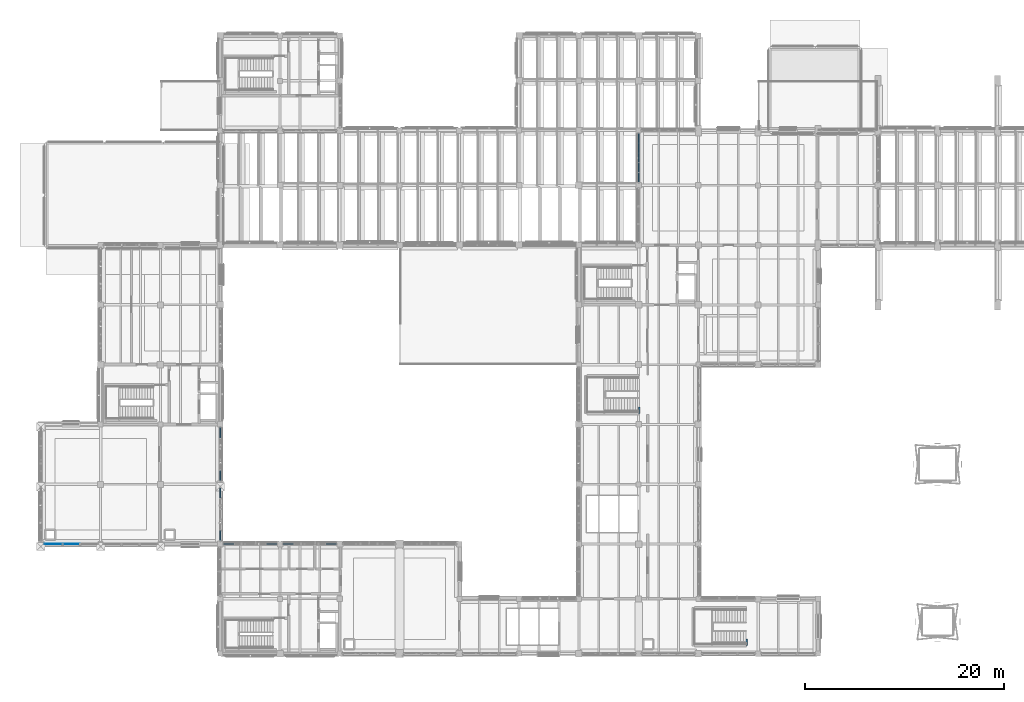
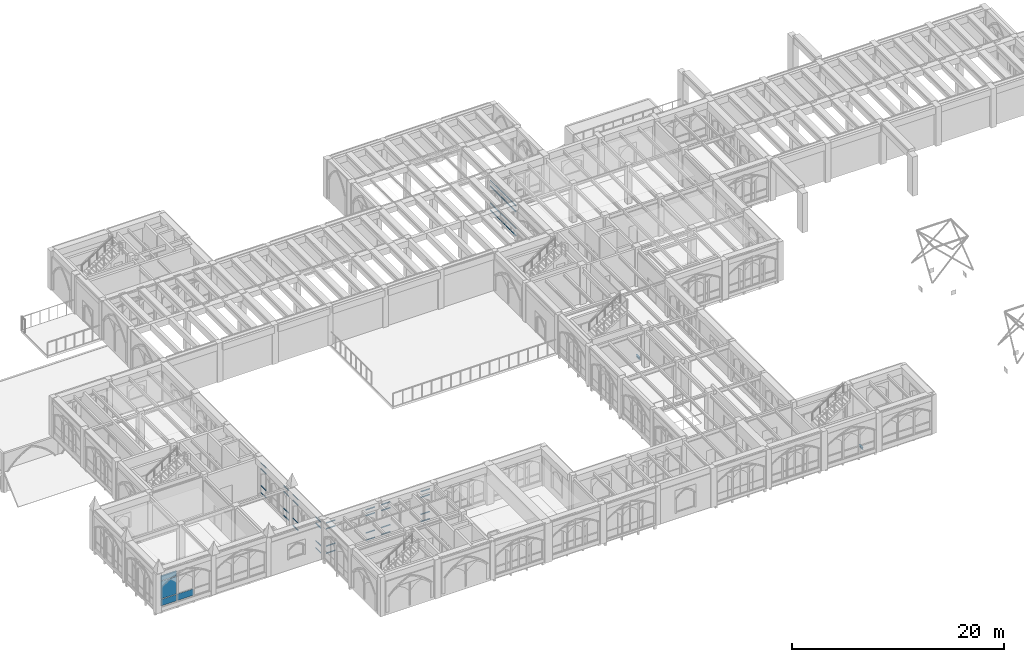
# One storey, part 62 of 127: 52 members, 4 plates, 2 beams, 6 elements without a shape of their own.
"""IFC4 building model written with IfcOpenShell, lengths in metres."""

from ifc_helpers import new_model, si_unit, direction, frame, origin, origin_2d, place, context, subcontext, project, spatial, rectangle, hollow_rectangle, i_section, extrude, material, layer, layer_set, material_profile, profile_set, type_object, element, aggregate, save


model = new_model("IFC4")

# Units and contexts
model_context = context("Model", 3, precision=1e-05, world=origin(), true_north=direction((0.0, 1.0)))
body_context = subcontext(model_context, "Body", "Model", "MODEL_VIEW")
ifc_project = project(units=[si_unit("LENGTHUNIT", "METRE"), si_unit("AREAUNIT", "SQUARE_METRE"), si_unit("VOLUMEUNIT", "CUBIC_METRE"), si_unit("PLANEANGLEUNIT", "RADIAN"), si_unit("MASSUNIT", "GRAM", prefix="KILO")], contexts=[model_context])

# Site, building, storey
site_placement = place(None, origin())
site = spatial("IfcSite", under=ifc_project, at=site_placement, CompositionType="ELEMENT")
building_placement = place(site_placement, origin())
building = spatial("IfcBuilding", under=site, at=building_placement, Name="Cumevento Cable Car Station", CompositionType="ELEMENT")
storey_placement = place(building_placement, frame((0.0, 0.0, 4.5)))
storey = spatial("IfcBuildingStorey", under=building, at=storey_placement, Name="L02", CompositionType="ELEMENT", Elevation=4.5)

# Curtain wall, members
ifc_material_1 = material(Name="Anodised Bronze Aluminium AW-6063-T6", Category="aluminium")
ifc_layer_1 = layer(ifc_material_1, 0.172119140625)
ifc_layer_set_1 = layer_set([ifc_layer_1], Name="Anodised Bronze Aluminium AW-6063-T6")
curtain_wall_type_1 = type_object("IfcCurtainWallType", Name="Lancet Curtain Wall CW-03 1130", PredefinedType="NOTDEFINED", material=ifc_layer_set_1)
curtain_wall_1_placement = place(storey_placement, origin())
curtain_wall_1 = element("IfcCurtainWall", 1, at=curtain_wall_1_placement, inside=storey, type_object=curtain_wall_type_1, Name="Lancet Curtain Wall CW-03 L02 #18", PredefinedType="NOTDEFINED")
ifc_material_2 = material(Name="Anodised Bronze Aluminium AW-6063-T6", Category="aluminium")
ifc_material_profile_1 = material_profile(ifc_material_2, hollow_rectangle(XDim=0.06494140625, YDim=0.1201171875, WallThickness=0.00390625, at=origin_2d()), Name="ALUT65x120x4")
ifc_profile_set_1 = profile_set([ifc_material_profile_1], Name="Anodised Bronze Aluminium AW-6063-T6")
member_type = type_object("IfcMemberType", Name="Curtain Transom CWT-01 ALUT65x120x4", PredefinedType="USERDEFINED", material=ifc_profile_set_1)
member_1_placement = place(storey_placement, frame((22.364990234375, 15.0, 0.29248046875), z_axis=(1.0, 0.0, 0.0), x_axis=(0.0, 1.0, 0.0)))
member_1 = element("IfcMember", 2, at=member_1_placement, type_object=member_type, Name="CW-03 transom 1.1", ObjectType="TRANSOM", PredefinedType="USERDEFINED", context=body_context, shape_type="SweptSolid", body=[
    extrude(hollow_rectangle(XDim=0.06494140625, YDim=0.1201171875, WallThickness=0.00390625, at=origin_2d()), origin(), (0.0, 0.0, 1.0), 0.987548828125),
])
member_2_placement = place(storey_placement, frame((22.364990234375, 15.0, 1.110107421875), z_axis=(1.0, 0.0, 0.0), x_axis=(0.0, 1.0, 0.0)))
member_2 = element("IfcMember", 3, at=member_2_placement, type_object=member_type, Name="CW-03 transom 1.2", ObjectType="TRANSOM", PredefinedType="USERDEFINED", context=body_context, shape_type="SweptSolid", body=[
    extrude(hollow_rectangle(XDim=0.06494140625, YDim=0.1201171875, WallThickness=0.00390625, at=origin_2d()), origin(), (0.0, 0.0, 1.0), 0.987548828125),
])
member_3_placement = place(storey_placement, frame((22.364990234375, 15.0, 3.10888671875), z_axis=(1.0, 0.0, 0.0), x_axis=(0.0, 1.0, 0.0)))
member_3 = element("IfcMember", 4, at=member_3_placement, type_object=member_type, Name="CW-03 transom 1.3", ObjectType="TRANSOM", PredefinedType="USERDEFINED", context=body_context, shape_type="SweptSolid", body=[
    extrude(hollow_rectangle(XDim=0.06494140625, YDim=0.1201171875, WallThickness=0.00390625, at=origin_2d()), origin(), (0.0, 0.0, 1.0), 0.987548828125),
])
member_4_placement = place(storey_placement, frame((22.364990234375, 15.0, 3.776611328125), z_axis=(1.0, 0.0, 0.0), x_axis=(0.0, 1.0, 0.0)))
member_4 = element("IfcMember", 5, at=member_4_placement, type_object=member_type, Name="CW-03 transom 1.4", ObjectType="TRANSOM", PredefinedType="USERDEFINED", context=body_context, shape_type="SweptSolid", body=[
    extrude(hollow_rectangle(XDim=0.06494140625, YDim=0.1201171875, WallThickness=0.00390625, at=origin_2d()), origin(), (0.0, 0.0, 1.0), 0.987548828125),
])
member_5_placement = place(storey_placement, frame((26.672607421875, 15.0, 0.29248046875), z_axis=(1.0, 0.0, 0.0), x_axis=(0.0, 1.0, 0.0)))
member_5 = element("IfcMember", 6, at=member_5_placement, type_object=member_type, Name="CW-03 transom 5.1", ObjectType="TRANSOM", PredefinedType="USERDEFINED", context=body_context, shape_type="SweptSolid", body=[
    extrude(hollow_rectangle(XDim=0.06494140625, YDim=0.1201171875, WallThickness=0.00390625, at=origin_2d()), origin(), (0.0, 0.0, 1.0), 0.9873046875),
])
member_6_placement = place(storey_placement, frame((26.672607421875, 15.0, 1.110107421875), z_axis=(1.0, 0.0, 0.0), x_axis=(0.0, 1.0, 0.0)))
member_6 = element("IfcMember", 7, at=member_6_placement, type_object=member_type, Name="CW-03 transom 5.2", ObjectType="TRANSOM", PredefinedType="USERDEFINED", context=body_context, shape_type="SweptSolid", body=[
    extrude(hollow_rectangle(XDim=0.06494140625, YDim=0.1201171875, WallThickness=0.00390625, at=origin_2d()), origin(), (0.0, 0.0, 1.0), 0.9873046875),
])
member_7_placement = place(storey_placement, frame((26.672607421875, 15.0, 3.10888671875), z_axis=(1.0, 0.0, 0.0), x_axis=(0.0, 1.0, 0.0)))
member_7 = element("IfcMember", 8, at=member_7_placement, type_object=member_type, Name="CW-03 transom 5.3", ObjectType="TRANSOM", PredefinedType="USERDEFINED", context=body_context, shape_type="SweptSolid", body=[
    extrude(hollow_rectangle(XDim=0.06494140625, YDim=0.1201171875, WallThickness=0.00390625, at=origin_2d()), origin(), (0.0, 0.0, 1.0), 0.9873046875),
])
member_8_placement = place(storey_placement, frame((26.672607421875, 15.0, 3.776611328125), z_axis=(1.0, 0.0, 0.0), x_axis=(0.0, 1.0, 0.0)))
member_8 = element("IfcMember", 9, at=member_8_placement, type_object=member_type, Name="CW-03 transom 5.4", ObjectType="TRANSOM", PredefinedType="USERDEFINED", context=body_context, shape_type="SweptSolid", body=[
    extrude(hollow_rectangle(XDim=0.06494140625, YDim=0.1201171875, WallThickness=0.00390625, at=origin_2d()), origin(), (0.0, 0.0, 1.0), 0.9873046875),
])
aggregate(curtain_wall_1, [member_1, member_2, member_3, member_4, member_5, member_6, member_7, member_8])

ifc_material_3 = material(Name="Anodised Bronze Aluminium AW-6063-T6", Category="aluminium")
ifc_layer_2 = layer(ifc_material_3, 0.177978515625)
ifc_layer_set_2 = layer_set([ifc_layer_2], Name="Anodised Bronze Aluminium AW-6063-T6")
curtain_wall_type_2 = type_object("IfcCurtainWallType", Name="Lancet Curtain Wall CW-04 1170", PredefinedType="NOTDEFINED", material=ifc_layer_set_2)
curtain_wall_2_placement = place(storey_placement, origin())
curtain_wall_2 = element("IfcCurtainWall", 10, at=curtain_wall_2_placement, inside=storey, type_object=curtain_wall_type_2, Name="Lancet Curtain Wall CW-04 L02 #19", PredefinedType="NOTDEFINED")
member_9_placement = place(storey_placement, frame((28.340087890625, 15.0, 0.342529296875), z_axis=(1.0, 0.0, 0.0), x_axis=(0.0, 1.0, 0.0)))
member_9 = element("IfcMember", 11, at=member_9_placement, type_object=member_type, Name="CW-04 transom 1.1", ObjectType="TRANSOM", PredefinedType="USERDEFINED", context=body_context, shape_type="SweptSolid", body=[
    extrude(hollow_rectangle(XDim=0.06494140625, YDim=0.1201171875, WallThickness=0.00390625, at=origin_2d()), origin(), (0.0, 0.0, 1.0), 0.9873046875),
])
member_10_placement = place(storey_placement, frame((28.340087890625, 15.0, 1.159912109375), z_axis=(1.0, 0.0, 0.0), x_axis=(0.0, 1.0, 0.0)))
member_10 = element("IfcMember", 12, at=member_10_placement, type_object=member_type, Name="CW-04 transom 1.2", ObjectType="TRANSOM", PredefinedType="USERDEFINED", context=body_context, shape_type="SweptSolid", body=[
    extrude(hollow_rectangle(XDim=0.06494140625, YDim=0.1201171875, WallThickness=0.00390625, at=origin_2d()), origin(), (0.0, 0.0, 1.0), 0.9873046875),
])
member_11_placement = place(storey_placement, frame((28.340087890625, 15.0, 3.10888671875), z_axis=(1.0, 0.0, 0.0), x_axis=(0.0, 1.0, 0.0)))
member_11 = element("IfcMember", 13, at=member_11_placement, type_object=member_type, Name="CW-04 transom 1.3", ObjectType="TRANSOM", PredefinedType="USERDEFINED", context=body_context, shape_type="SweptSolid", body=[
    extrude(hollow_rectangle(XDim=0.06494140625, YDim=0.1201171875, WallThickness=0.00390625, at=origin_2d()), origin(), (0.0, 0.0, 1.0), 0.9873046875),
])
member_12_placement = place(storey_placement, frame((28.340087890625, 15.0, 3.776611328125), z_axis=(1.0, 0.0, 0.0), x_axis=(0.0, 1.0, 0.0)))
member_12 = element("IfcMember", 14, at=member_12_placement, type_object=member_type, Name="CW-04 transom 1.4", ObjectType="TRANSOM", PredefinedType="USERDEFINED", context=body_context, shape_type="SweptSolid", body=[
    extrude(hollow_rectangle(XDim=0.06494140625, YDim=0.1201171875, WallThickness=0.00390625, at=origin_2d()), origin(), (0.0, 0.0, 1.0), 0.9873046875),
])
member_13_placement = place(storey_placement, frame((32.6474609375, 15.0, 0.342529296875), z_axis=(1.0, 0.0, 0.0), x_axis=(0.0, 1.0, 0.0)))
member_13 = element("IfcMember", 15, at=member_13_placement, type_object=member_type, Name="CW-04 transom 5.1", ObjectType="TRANSOM", PredefinedType="USERDEFINED", context=body_context, shape_type="SweptSolid", body=[
    extrude(hollow_rectangle(XDim=0.06494140625, YDim=0.1201171875, WallThickness=0.00390625, at=origin_2d()), origin(), (0.0, 0.0, 1.0), 0.987548828125),
])
member_14_placement = place(storey_placement, frame((32.6474609375, 15.0, 1.159912109375), z_axis=(1.0, 0.0, 0.0), x_axis=(0.0, 1.0, 0.0)))
member_14 = element("IfcMember", 16, at=member_14_placement, type_object=member_type, Name="CW-04 transom 5.2", ObjectType="TRANSOM", PredefinedType="USERDEFINED", context=body_context, shape_type="SweptSolid", body=[
    extrude(hollow_rectangle(XDim=0.06494140625, YDim=0.1201171875, WallThickness=0.00390625, at=origin_2d()), origin(), (0.0, 0.0, 1.0), 0.987548828125),
])
member_15_placement = place(storey_placement, frame((32.6474609375, 15.0, 3.10888671875), z_axis=(1.0, 0.0, 0.0), x_axis=(0.0, 1.0, 0.0)))
member_15 = element("IfcMember", 17, at=member_15_placement, type_object=member_type, Name="CW-04 transom 5.3", ObjectType="TRANSOM", PredefinedType="USERDEFINED", context=body_context, shape_type="SweptSolid", body=[
    extrude(hollow_rectangle(XDim=0.06494140625, YDim=0.1201171875, WallThickness=0.00390625, at=origin_2d()), origin(), (0.0, 0.0, 1.0), 0.987548828125),
])
member_16_placement = place(storey_placement, frame((32.6474609375, 15.0, 3.776611328125), z_axis=(1.0, 0.0, 0.0), x_axis=(0.0, 1.0, 0.0)))
member_16 = element("IfcMember", 18, at=member_16_placement, type_object=member_type, Name="CW-04 transom 5.4", ObjectType="TRANSOM", PredefinedType="USERDEFINED", context=body_context, shape_type="SweptSolid", body=[
    extrude(hollow_rectangle(XDim=0.06494140625, YDim=0.1201171875, WallThickness=0.00390625, at=origin_2d()), origin(), (0.0, 0.0, 1.0), 0.987548828125),
])
aggregate(curtain_wall_2, [member_9, member_10, member_11, member_12, member_13, member_14, member_15, member_16])

ifc_material_4 = material(Name="Anodised Bronze Aluminium AW-6063-T6", Category="aluminium")
ifc_layer_3 = layer(ifc_material_4, 0.166015625)
ifc_layer_set_3 = layer_set([ifc_layer_3], Name="Anodised Bronze Aluminium AW-6063-T6")
curtain_wall_type_3 = type_object("IfcCurtainWallType", Name="Lancet Curtain Wall CW-02 1090", PredefinedType="NOTDEFINED", material=ifc_layer_set_3)
curtain_wall_3_placement = place(storey_placement, origin())
curtain_wall_3 = element("IfcCurtainWall", 19, at=curtain_wall_3_placement, inside=storey, type_object=curtain_wall_type_3, Name="Lancet Curtain Wall CW-02 L02 #49", PredefinedType="NOTDEFINED")
member_17_placement = place(storey_placement, frame((22.0, 20.610107421875, 0.242431640625), z_axis=(0.0, -1.0, 0.0), x_axis=(1.0, 0.0, 0.0)))
member_17 = element("IfcMember", 20, at=member_17_placement, type_object=member_type, Name="CW-02 transom 1.1", ObjectType="TRANSOM", PredefinedType="USERDEFINED", context=body_context, shape_type="SweptSolid", body=[
    extrude(hollow_rectangle(XDim=0.06494140625, YDim=0.1201171875, WallThickness=0.00390625, at=origin_2d()), origin(), (0.0, 0.0, 1.0), 0.9775390625),
])
member_18_placement = place(storey_placement, frame((22.0, 20.610107421875, 1.06005859375), z_axis=(0.0, -1.0, 0.0), x_axis=(1.0, 0.0, 0.0)))
member_18 = element("IfcMember", 21, at=member_18_placement, type_object=member_type, Name="CW-02 transom 1.2", ObjectType="TRANSOM", PredefinedType="USERDEFINED", context=body_context, shape_type="SweptSolid", body=[
    extrude(hollow_rectangle(XDim=0.06494140625, YDim=0.1201171875, WallThickness=0.00390625, at=origin_2d()), origin(), (0.0, 0.0, 1.0), 0.9775390625),
])
member_19_placement = place(storey_placement, frame((22.0, 20.610107421875, 3.10888671875), z_axis=(0.0, -1.0, 0.0), x_axis=(1.0, 0.0, 0.0)))
member_19 = element("IfcMember", 22, at=member_19_placement, type_object=member_type, Name="CW-02 transom 1.3", ObjectType="TRANSOM", PredefinedType="USERDEFINED", context=body_context, shape_type="SweptSolid", body=[
    extrude(hollow_rectangle(XDim=0.06494140625, YDim=0.1201171875, WallThickness=0.00390625, at=origin_2d()), origin(), (0.0, 0.0, 1.0), 0.9775390625),
])
member_20_placement = place(storey_placement, frame((22.0, 20.610107421875, 3.776611328125), z_axis=(0.0, -1.0, 0.0), x_axis=(1.0, 0.0, 0.0)))
member_20 = element("IfcMember", 23, at=member_20_placement, type_object=member_type, Name="CW-02 transom 1.4", ObjectType="TRANSOM", PredefinedType="USERDEFINED", context=body_context, shape_type="SweptSolid", body=[
    extrude(hollow_rectangle(XDim=0.06494140625, YDim=0.1201171875, WallThickness=0.00390625, at=origin_2d()), origin(), (0.0, 0.0, 1.0), 0.9775390625),
])
member_21_placement = place(storey_placement, frame((22.0, 16.342529296875, 0.242431640625), z_axis=(0.0, -1.0, 0.0), x_axis=(1.0, 0.0, 0.0)))
member_21 = element("IfcMember", 24, at=member_21_placement, type_object=member_type, Name="CW-02 transom 5.1", ObjectType="TRANSOM", PredefinedType="USERDEFINED", context=body_context, shape_type="SweptSolid", body=[
    extrude(hollow_rectangle(XDim=0.06494140625, YDim=0.1201171875, WallThickness=0.00390625, at=origin_2d()), origin(), (0.0, 0.0, 1.0), 0.9775390625),
])
member_22_placement = place(storey_placement, frame((22.0, 16.342529296875, 1.06005859375), z_axis=(0.0, -1.0, 0.0), x_axis=(1.0, 0.0, 0.0)))
member_22 = element("IfcMember", 25, at=member_22_placement, type_object=member_type, Name="CW-02 transom 5.2", ObjectType="TRANSOM", PredefinedType="USERDEFINED", context=body_context, shape_type="SweptSolid", body=[
    extrude(hollow_rectangle(XDim=0.06494140625, YDim=0.1201171875, WallThickness=0.00390625, at=origin_2d()), origin(), (0.0, 0.0, 1.0), 0.9775390625),
])
member_23_placement = place(storey_placement, frame((22.0, 16.342529296875, 3.10888671875), z_axis=(0.0, -1.0, 0.0), x_axis=(1.0, 0.0, 0.0)))
member_23 = element("IfcMember", 26, at=member_23_placement, type_object=member_type, Name="CW-02 transom 5.3", ObjectType="TRANSOM", PredefinedType="USERDEFINED", context=body_context, shape_type="SweptSolid", body=[
    extrude(hollow_rectangle(XDim=0.06494140625, YDim=0.1201171875, WallThickness=0.00390625, at=origin_2d()), origin(), (0.0, 0.0, 1.0), 0.9775390625),
])
member_24_placement = place(storey_placement, frame((22.0, 16.342529296875, 3.776611328125), z_axis=(0.0, -1.0, 0.0), x_axis=(1.0, 0.0, 0.0)))
member_24 = element("IfcMember", 27, at=member_24_placement, type_object=member_type, Name="CW-02 transom 5.4", ObjectType="TRANSOM", PredefinedType="USERDEFINED", context=body_context, shape_type="SweptSolid", body=[
    extrude(hollow_rectangle(XDim=0.06494140625, YDim=0.1201171875, WallThickness=0.00390625, at=origin_2d()), origin(), (0.0, 0.0, 1.0), 0.9775390625),
])
aggregate(curtain_wall_3, [member_17, member_18, member_19, member_20, member_21, member_22, member_23, member_24])

curtain_wall_4_placement = place(storey_placement, origin())
curtain_wall_4 = element("IfcCurtainWall", 28, at=curtain_wall_4_placement, inside=storey, type_object=curtain_wall_type_2, Name="Lancet Curtain Wall CW-04 L02 #51", PredefinedType="NOTDEFINED")
member_25_placement = place(storey_placement, frame((22.0, 26.659912109375, 0.342529296875), z_axis=(0.0, -1.0, 0.0), x_axis=(1.0, 0.0, 0.0)))
member_25 = element("IfcMember", 29, at=member_25_placement, type_object=member_type, Name="CW-04 transom 1.1", ObjectType="TRANSOM", PredefinedType="USERDEFINED", context=body_context, shape_type="SweptSolid", body=[
    extrude(hollow_rectangle(XDim=0.06494140625, YDim=0.1201171875, WallThickness=0.00390625, at=origin_2d()), origin(), (0.0, 0.0, 1.0), 0.982421875),
])
member_26_placement = place(storey_placement, frame((22.0, 26.659912109375, 1.159912109375), z_axis=(0.0, -1.0, 0.0), x_axis=(1.0, 0.0, 0.0)))
member_26 = element("IfcMember", 30, at=member_26_placement, type_object=member_type, Name="CW-04 transom 1.2", ObjectType="TRANSOM", PredefinedType="USERDEFINED", context=body_context, shape_type="SweptSolid", body=[
    extrude(hollow_rectangle(XDim=0.06494140625, YDim=0.1201171875, WallThickness=0.00390625, at=origin_2d()), origin(), (0.0, 0.0, 1.0), 0.982421875),
])
member_27_placement = place(storey_placement, frame((22.0, 26.659912109375, 3.077880859375), z_axis=(0.0, -1.0, 0.0), x_axis=(1.0, 0.0, 0.0)))
member_27 = element("IfcMember", 31, at=member_27_placement, type_object=member_type, Name="CW-04 transom 1.3", ObjectType="TRANSOM", PredefinedType="USERDEFINED", context=body_context, shape_type="SweptSolid", body=[
    extrude(hollow_rectangle(XDim=0.06494140625, YDim=0.1201171875, WallThickness=0.00390625, at=origin_2d()), origin(), (0.0, 0.0, 1.0), 0.982421875),
])
member_28_placement = place(storey_placement, frame((22.0, 26.659912109375, 3.74560546875), z_axis=(0.0, -1.0, 0.0), x_axis=(1.0, 0.0, 0.0)))
member_28 = element("IfcMember", 32, at=member_28_placement, type_object=member_type, Name="CW-04 transom 1.4", ObjectType="TRANSOM", PredefinedType="USERDEFINED", context=body_context, shape_type="SweptSolid", body=[
    extrude(hollow_rectangle(XDim=0.06494140625, YDim=0.1201171875, WallThickness=0.00390625, at=origin_2d()), origin(), (0.0, 0.0, 1.0), 0.982421875),
])
member_29_placement = place(storey_placement, frame((22.0, 22.37255859375, 0.342529296875), z_axis=(0.0, -1.0, 0.0), x_axis=(1.0, 0.0, 0.0)))
member_29 = element("IfcMember", 33, at=member_29_placement, type_object=member_type, Name="CW-04 transom 5.1", ObjectType="TRANSOM", PredefinedType="USERDEFINED", context=body_context, shape_type="SweptSolid", body=[
    extrude(hollow_rectangle(XDim=0.06494140625, YDim=0.1201171875, WallThickness=0.00390625, at=origin_2d()), origin(), (0.0, 0.0, 1.0), 0.982666015625),
])
member_30_placement = place(storey_placement, frame((22.0, 22.37255859375, 1.159912109375), z_axis=(0.0, -1.0, 0.0), x_axis=(1.0, 0.0, 0.0)))
member_30 = element("IfcMember", 34, at=member_30_placement, type_object=member_type, Name="CW-04 transom 5.2", ObjectType="TRANSOM", PredefinedType="USERDEFINED", context=body_context, shape_type="SweptSolid", body=[
    extrude(hollow_rectangle(XDim=0.06494140625, YDim=0.1201171875, WallThickness=0.00390625, at=origin_2d()), origin(), (0.0, 0.0, 1.0), 0.982666015625),
])
member_31_placement = place(storey_placement, frame((22.0, 22.37255859375, 3.077880859375), z_axis=(0.0, -1.0, 0.0), x_axis=(1.0, 0.0, 0.0)))
member_31 = element("IfcMember", 35, at=member_31_placement, type_object=member_type, Name="CW-04 transom 5.3", ObjectType="TRANSOM", PredefinedType="USERDEFINED", context=body_context, shape_type="SweptSolid", body=[
    extrude(hollow_rectangle(XDim=0.06494140625, YDim=0.1201171875, WallThickness=0.00390625, at=origin_2d()), origin(), (0.0, 0.0, 1.0), 0.982666015625),
])
member_32_placement = place(storey_placement, frame((22.0, 22.37255859375, 3.74560546875), z_axis=(0.0, -1.0, 0.0), x_axis=(1.0, 0.0, 0.0)))
member_32 = element("IfcMember", 36, at=member_32_placement, type_object=member_type, Name="CW-04 transom 5.4", ObjectType="TRANSOM", PredefinedType="USERDEFINED", context=body_context, shape_type="SweptSolid", body=[
    extrude(hollow_rectangle(XDim=0.06494140625, YDim=0.1201171875, WallThickness=0.00390625, at=origin_2d()), origin(), (0.0, 0.0, 1.0), 0.982666015625),
])
aggregate(curtain_wall_4, [member_25, member_26, member_27, member_28, member_29, member_30, member_31, member_32])

ifc_material_5 = material(Name="Anodised Bronze Aluminium AW-6063-T6", Category="aluminium")
ifc_layer_4 = layer(ifc_material_5, 0.159912109375)
ifc_layer_set_4 = layer_set([ifc_layer_4], Name="Anodised Bronze Aluminium AW-6063-T6")
curtain_wall_type_4 = type_object("IfcCurtainWallType", Name="Lancet Curtain Wall CW-01 1050", PredefinedType="NOTDEFINED", material=ifc_layer_set_4)
curtain_wall_5_placement = place(storey_placement, origin())
curtain_wall_5 = element("IfcCurtainWall", 37, at=curtain_wall_5_placement, inside=storey, type_object=curtain_wall_type_4, Name="Lancet Curtain Wall CW-01 L02 #64", PredefinedType="NOTDEFINED")
member_33_placement = place(storey_placement, frame((64.0, 51.340087890625, 0.1923828125), z_axis=(0.0, 1.0, 0.0), x_axis=(-1.0, 0.0, 0.0)))
member_33 = element("IfcMember", 38, at=member_33_placement, type_object=member_type, Name="CW-01 transom 1.1", ObjectType="TRANSOM", PredefinedType="USERDEFINED", context=body_context, shape_type="SweptSolid", body=[
    extrude(hollow_rectangle(XDim=0.06494140625, YDim=0.1201171875, WallThickness=0.00390625, at=origin_2d()), origin(), (0.0, 0.0, 1.0), 0.8974609375),
])
member_34_placement = place(storey_placement, frame((64.0, 51.340087890625, 1.010009765625), z_axis=(0.0, 1.0, 0.0), x_axis=(-1.0, 0.0, 0.0)))
member_34 = element("IfcMember", 39, at=member_34_placement, type_object=member_type, Name="CW-01 transom 1.2", ObjectType="TRANSOM", PredefinedType="USERDEFINED", context=body_context, shape_type="SweptSolid", body=[
    extrude(hollow_rectangle(XDim=0.06494140625, YDim=0.1201171875, WallThickness=0.00390625, at=origin_2d()), origin(), (0.0, 0.0, 1.0), 0.8974609375),
])
member_35_placement = place(storey_placement, frame((64.0, 51.340087890625, 2.952880859375), z_axis=(0.0, 1.0, 0.0), x_axis=(-1.0, 0.0, 0.0)))
member_35 = element("IfcMember", 40, at=member_35_placement, type_object=member_type, Name="CW-01 transom 1.3", ObjectType="TRANSOM", PredefinedType="USERDEFINED", context=body_context, shape_type="SweptSolid", body=[
    extrude(hollow_rectangle(XDim=0.06494140625, YDim=0.1201171875, WallThickness=0.00390625, at=origin_2d()), origin(), (0.0, 0.0, 1.0), 0.8974609375),
])
member_36_placement = place(storey_placement, frame((64.0, 51.340087890625, 3.62060546875), z_axis=(0.0, 1.0, 0.0), x_axis=(-1.0, 0.0, 0.0)))
member_36 = element("IfcMember", 41, at=member_36_placement, type_object=member_type, Name="CW-01 transom 1.4", ObjectType="TRANSOM", PredefinedType="USERDEFINED", context=body_context, shape_type="SweptSolid", body=[
    extrude(hollow_rectangle(XDim=0.06494140625, YDim=0.1201171875, WallThickness=0.00390625, at=origin_2d()), origin(), (0.0, 0.0, 1.0), 0.8974609375),
])
member_37_placement = place(storey_placement, frame((64.0, 52.302490234375, 0.1923828125), z_axis=(0.0, 1.0, 0.0), x_axis=(-1.0, 0.0, 0.0)))
member_37 = element("IfcMember", 42, at=member_37_placement, type_object=member_type, Name="CW-01 transom 2.1", ObjectType="TRANSOM", PredefinedType="USERDEFINED", context=body_context, shape_type="SweptSolid", body=[
    extrude(hollow_rectangle(XDim=0.06494140625, YDim=0.1201171875, WallThickness=0.00390625, at=origin_2d()), origin(), (0.0, 0.0, 1.0), 0.929931640625),
])
member_38_placement = place(storey_placement, frame((64.0, 52.302490234375, 1.010009765625), z_axis=(0.0, 1.0, 0.0), x_axis=(-1.0, 0.0, 0.0)))
member_38 = element("IfcMember", 43, at=member_38_placement, type_object=member_type, Name="CW-01 transom 2.2", ObjectType="TRANSOM", PredefinedType="USERDEFINED", context=body_context, shape_type="SweptSolid", body=[
    extrude(hollow_rectangle(XDim=0.06494140625, YDim=0.1201171875, WallThickness=0.00390625, at=origin_2d()), origin(), (0.0, 0.0, 1.0), 0.929931640625),
])
member_39_placement = place(storey_placement, frame((64.0, 52.302490234375, 2.952880859375), z_axis=(0.0, 1.0, 0.0), x_axis=(-1.0, 0.0, 0.0)))
member_39 = element("IfcMember", 44, at=member_39_placement, type_object=member_type, Name="CW-01 transom 2.3", ObjectType="TRANSOM", PredefinedType="USERDEFINED", context=body_context, shape_type="SweptSolid", body=[
    extrude(hollow_rectangle(XDim=0.06494140625, YDim=0.1201171875, WallThickness=0.00390625, at=origin_2d()), origin(), (0.0, 0.0, 1.0), 0.929931640625),
])
member_40_placement = place(storey_placement, frame((64.0, 52.302490234375, 3.62060546875), z_axis=(0.0, 1.0, 0.0), x_axis=(-1.0, 0.0, 0.0)))
member_40 = element("IfcMember", 45, at=member_40_placement, type_object=member_type, Name="CW-01 transom 2.4", ObjectType="TRANSOM", PredefinedType="USERDEFINED", context=body_context, shape_type="SweptSolid", body=[
    extrude(hollow_rectangle(XDim=0.06494140625, YDim=0.1201171875, WallThickness=0.00390625, at=origin_2d()), origin(), (0.0, 0.0, 1.0), 0.929931640625),
])
member_41_placement = place(storey_placement, frame((64.0, 53.297607421875, 0.1923828125), z_axis=(0.0, 1.0, 0.0), x_axis=(-1.0, 0.0, 0.0)))
member_41 = element("IfcMember", 46, at=member_41_placement, type_object=member_type, Name="CW-01 transom 3.1", ObjectType="TRANSOM", PredefinedType="USERDEFINED", context=body_context, shape_type="SweptSolid", body=[
    extrude(hollow_rectangle(XDim=0.06494140625, YDim=0.1201171875, WallThickness=0.00390625, at=origin_2d()), origin(), (0.0, 0.0, 1.0), 0.929931640625),
])
member_42_placement = place(storey_placement, frame((64.0, 53.297607421875, 1.010009765625), z_axis=(0.0, 1.0, 0.0), x_axis=(-1.0, 0.0, 0.0)))
member_42 = element("IfcMember", 47, at=member_42_placement, type_object=member_type, Name="CW-01 transom 3.2", ObjectType="TRANSOM", PredefinedType="USERDEFINED", context=body_context, shape_type="SweptSolid", body=[
    extrude(hollow_rectangle(XDim=0.06494140625, YDim=0.1201171875, WallThickness=0.00390625, at=origin_2d()), origin(), (0.0, 0.0, 1.0), 0.929931640625),
])
member_43_placement = place(storey_placement, frame((64.0, 53.297607421875, 2.952880859375), z_axis=(0.0, 1.0, 0.0), x_axis=(-1.0, 0.0, 0.0)))
member_43 = element("IfcMember", 48, at=member_43_placement, type_object=member_type, Name="CW-01 transom 3.3", ObjectType="TRANSOM", PredefinedType="USERDEFINED", context=body_context, shape_type="SweptSolid", body=[
    extrude(hollow_rectangle(XDim=0.06494140625, YDim=0.1201171875, WallThickness=0.00390625, at=origin_2d()), origin(), (0.0, 0.0, 1.0), 0.929931640625),
])
member_44_placement = place(storey_placement, frame((64.0, 53.297607421875, 3.62060546875), z_axis=(0.0, 1.0, 0.0), x_axis=(-1.0, 0.0, 0.0)))
member_44 = element("IfcMember", 49, at=member_44_placement, type_object=member_type, Name="CW-01 transom 3.4", ObjectType="TRANSOM", PredefinedType="USERDEFINED", context=body_context, shape_type="SweptSolid", body=[
    extrude(hollow_rectangle(XDim=0.06494140625, YDim=0.1201171875, WallThickness=0.00390625, at=origin_2d()), origin(), (0.0, 0.0, 1.0), 0.929931640625),
])
member_45_placement = place(storey_placement, frame((64.0, 54.29248046875, 0.1923828125), z_axis=(0.0, 1.0, 0.0), x_axis=(-1.0, 0.0, 0.0)))
member_45 = element("IfcMember", 50, at=member_45_placement, type_object=member_type, Name="CW-01 transom 4.1", ObjectType="TRANSOM", PredefinedType="USERDEFINED", context=body_context, shape_type="SweptSolid", body=[
    extrude(hollow_rectangle(XDim=0.06494140625, YDim=0.1201171875, WallThickness=0.00390625, at=origin_2d()), origin(), (0.0, 0.0, 1.0), 0.929931640625),
])
member_46_placement = place(storey_placement, frame((64.0, 54.29248046875, 1.010009765625), z_axis=(0.0, 1.0, 0.0), x_axis=(-1.0, 0.0, 0.0)))
member_46 = element("IfcMember", 51, at=member_46_placement, type_object=member_type, Name="CW-01 transom 4.2", ObjectType="TRANSOM", PredefinedType="USERDEFINED", context=body_context, shape_type="SweptSolid", body=[
    extrude(hollow_rectangle(XDim=0.06494140625, YDim=0.1201171875, WallThickness=0.00390625, at=origin_2d()), origin(), (0.0, 0.0, 1.0), 0.929931640625),
])
member_47_placement = place(storey_placement, frame((64.0, 54.29248046875, 2.952880859375), z_axis=(0.0, 1.0, 0.0), x_axis=(-1.0, 0.0, 0.0)))
member_47 = element("IfcMember", 52, at=member_47_placement, type_object=member_type, Name="CW-01 transom 4.3", ObjectType="TRANSOM", PredefinedType="USERDEFINED", context=body_context, shape_type="SweptSolid", body=[
    extrude(hollow_rectangle(XDim=0.06494140625, YDim=0.1201171875, WallThickness=0.00390625, at=origin_2d()), origin(), (0.0, 0.0, 1.0), 0.929931640625),
])
member_48_placement = place(storey_placement, frame((64.0, 54.29248046875, 3.62060546875), z_axis=(0.0, 1.0, 0.0), x_axis=(-1.0, 0.0, 0.0)))
member_48 = element("IfcMember", 53, at=member_48_placement, type_object=member_type, Name="CW-01 transom 4.4", ObjectType="TRANSOM", PredefinedType="USERDEFINED", context=body_context, shape_type="SweptSolid", body=[
    extrude(hollow_rectangle(XDim=0.06494140625, YDim=0.1201171875, WallThickness=0.00390625, at=origin_2d()), origin(), (0.0, 0.0, 1.0), 0.929931640625),
])
member_49_placement = place(storey_placement, frame((64.0, 55.28759765625, 0.1923828125), z_axis=(0.0, 1.0, 0.0), x_axis=(-1.0, 0.0, 0.0)))
member_49 = element("IfcMember", 54, at=member_49_placement, type_object=member_type, Name="CW-01 transom 5.1", ObjectType="TRANSOM", PredefinedType="USERDEFINED", context=body_context, shape_type="SweptSolid", body=[
    extrude(hollow_rectangle(XDim=0.06494140625, YDim=0.1201171875, WallThickness=0.00390625, at=origin_2d()), origin(), (0.0, 0.0, 1.0), 0.8974609375),
])
member_50_placement = place(storey_placement, frame((64.0, 55.28759765625, 1.010009765625), z_axis=(0.0, 1.0, 0.0), x_axis=(-1.0, 0.0, 0.0)))
member_50 = element("IfcMember", 55, at=member_50_placement, type_object=member_type, Name="CW-01 transom 5.2", ObjectType="TRANSOM", PredefinedType="USERDEFINED", context=body_context, shape_type="SweptSolid", body=[
    extrude(hollow_rectangle(XDim=0.06494140625, YDim=0.1201171875, WallThickness=0.00390625, at=origin_2d()), origin(), (0.0, 0.0, 1.0), 0.8974609375),
])
member_51_placement = place(storey_placement, frame((64.0, 55.28759765625, 2.952880859375), z_axis=(0.0, 1.0, 0.0), x_axis=(-1.0, 0.0, 0.0)))
member_51 = element("IfcMember", 56, at=member_51_placement, type_object=member_type, Name="CW-01 transom 5.3", ObjectType="TRANSOM", PredefinedType="USERDEFINED", context=body_context, shape_type="SweptSolid", body=[
    extrude(hollow_rectangle(XDim=0.06494140625, YDim=0.1201171875, WallThickness=0.00390625, at=origin_2d()), origin(), (0.0, 0.0, 1.0), 0.8974609375),
])
member_52_placement = place(storey_placement, frame((64.0, 55.28759765625, 3.62060546875), z_axis=(0.0, 1.0, 0.0), x_axis=(-1.0, 0.0, 0.0)))
member_52 = element("IfcMember", 57, at=member_52_placement, type_object=member_type, Name="CW-01 transom 5.4", ObjectType="TRANSOM", PredefinedType="USERDEFINED", context=body_context, shape_type="SweptSolid", body=[
    extrude(hollow_rectangle(XDim=0.06494140625, YDim=0.1201171875, WallThickness=0.00390625, at=origin_2d()), origin(), (0.0, 0.0, 1.0), 0.8974609375),
])
aggregate(curtain_wall_5, [member_33, member_34, member_35, member_36, member_37, member_38, member_39, member_40, member_41, member_42, member_43, member_44, member_45, member_46, member_47, member_48, member_49, member_50, member_51, member_52])

# Beams
ifc_material_6 = material(Name="Steel ASTM A572 Grade 50", Category="steel")
ifc_material_profile_2 = material_profile(ifc_material_6, i_section(OverallWidth=0.14794921875, OverallDepth=0.26611328125, WebThickness=0.007568359375, FlangeThickness=0.012939453125, at=origin_2d()), Name="W250x44.8")
ifc_profile_set_2 = profile_set([ifc_material_profile_2], Name="Steel ASTM A572 Grade 50")
beam_type = type_object("IfcBeamType", Name="Structural Beam BM-07 W250x44.8", PredefinedType="BEAM", material=ifc_profile_set_2)
for number, where, z_axis, x_axis, name in (
    (58, (74.840087890625, 4.820068359375, 0.137939453125), (0.0, 1.0, 0.0), (-1.0, 0.0, 0.0), "Stair Stringer Seat Corbel ST-08"),
    (59, (64.0400390625, 28.1201171875, 0.137939453125), (0.0, 1.0, 0.0), (-1.0, 0.0, 0.0), "Stair Stringer Seat Corbel ST-10"),
):
    element("IfcBeam", number, at=place(storey_placement, frame(where, z_axis=z_axis, x_axis=x_axis)), inside=storey, type_object=beam_type, Name=name, PredefinedType="BEAM", context=body_context, shape_type="SweptSolid", body=[
        extrude(i_section(OverallWidth=0.14794921875, OverallDepth=0.26611328125, WebThickness=0.007568359375, FlangeThickness=0.012939453125, at=origin_2d()), origin(), (0.0, 0.0, 1.0), 0.6298828125),
    ])

# Curtain wall, plates
ifc_material_7 = material(Name="Anodised Bronze Aluminium AW-6063-T6", Category="aluminium")
ifc_layer_5 = layer(ifc_material_7, 0.243896484375)
ifc_layer_set_5 = layer_set([ifc_layer_5], Name="Anodised Bronze Aluminium AW-6063-T6")
curtain_wall_type_5 = type_object("IfcCurtainWallType", Name="Lancet Curtain Wall CW-15 1610", PredefinedType="NOTDEFINED", material=ifc_layer_set_5)
curtain_wall_6_placement = place(storey_placement, origin())
curtain_wall_6 = element("IfcCurtainWall", 60, at=curtain_wall_6_placement, inside=storey, type_object=curtain_wall_type_5, Name="Lancet Curtain Wall CW-15 L02 #46", PredefinedType="NOTDEFINED")
ifc_material_8 = material(Name="Solar Control Laminated Double Glazing", Category="glass")
ifc_layer_6 = layer(ifc_material_8, 0.0380859375)
ifc_layer_set_6 = layer_set([ifc_layer_6], Name="Solar Control Laminated Double Glazing")
plate_type = type_object("IfcPlateType", Name="Glazed Panel CWP-05 38", PredefinedType="CURTAIN_PANEL", material=ifc_layer_set_6)
plate_1_placement = place(storey_placement, frame((7.02490234375, 15.0, 0.525146484375), z_axis=(0.0, 0.0, 1.0), x_axis=(-1.0, 0.0, 0.0)))
plate_1 = element("IfcPlate", 61, at=plate_1_placement, type_object=plate_type, Name="CW-15 panel 2.1", PredefinedType="CURTAIN_PANEL", context=body_context, shape_type="SweptSolid", body=[
    extrude(rectangle(XDim=1.751708984375, YDim=0.0380859375, at=origin_2d()), origin(), (0.0, 0.0, 1.0), 0.75244140625),
])
plate_2_placement = place(storey_placement, frame((5.224609375, 15.0, 0.525146484375), z_axis=(0.0, 0.0, 1.0), x_axis=(-1.0, 0.0, 0.0)))
plate_2 = element("IfcPlate", 62, at=plate_2_placement, type_object=plate_type, Name="CW-15 panel 3.1", PredefinedType="CURTAIN_PANEL", context=body_context, shape_type="SweptSolid", body=[
    extrude(rectangle(XDim=1.71923828125, YDim=0.0380859375, at=origin_2d()), origin(), (0.0, 0.0, 1.0), 0.75244140625),
])
plate_3_placement = place(storey_placement, frame((5.224609375, 15.0, 1.342529296875), z_axis=(0.0, 0.0, 1.0), x_axis=(-1.0, 0.0, 0.0)))
plate_3 = element("IfcPlate", 63, at=plate_3_placement, type_object=plate_type, Name="CW-15 panel 3.2", PredefinedType="CURTAIN_PANEL", context=body_context, shape_type="SweptSolid", body=[
    extrude(rectangle(XDim=1.71923828125, YDim=0.0380859375, at=origin_2d()), origin(), (0.0, 0.0, 1.0), 2.01806640625),
])
plate_4_placement = place(storey_placement, frame((5.224609375, 15.0, 3.425537109375), z_axis=(0.0, 0.0, 1.0), x_axis=(-1.0, 0.0, 0.0)))
plate_4 = element("IfcPlate", 64, at=plate_4_placement, type_object=plate_type, Name="CW-15 panel 3.3", PredefinedType="CURTAIN_PANEL", context=body_context, shape_type="SweptSolid", body=[
    extrude(rectangle(XDim=1.71923828125, YDim=0.0380859375, at=origin_2d()), origin(), (0.0, 0.0, 1.0), 0.6025390625),
])
aggregate(curtain_wall_6, [plate_1, plate_2, plate_3, plate_4])

save(model, "model.ifc")
